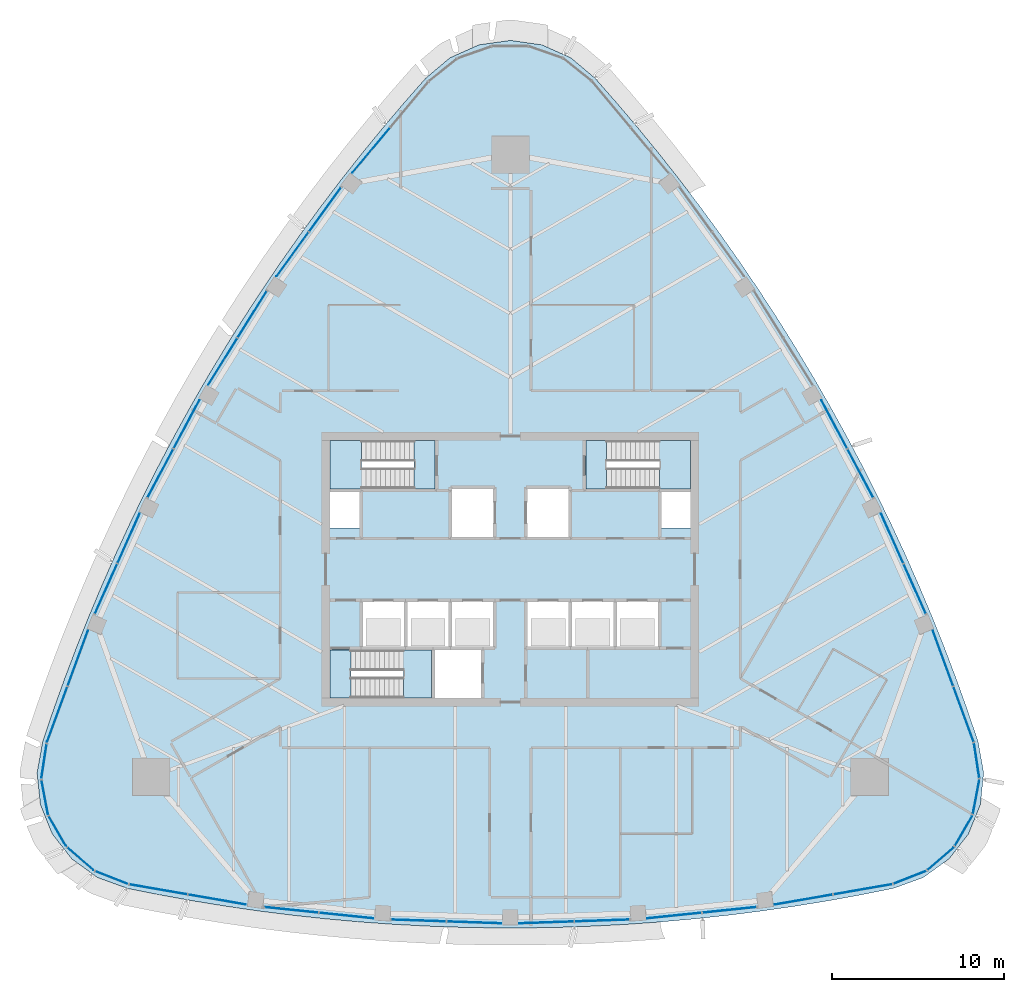
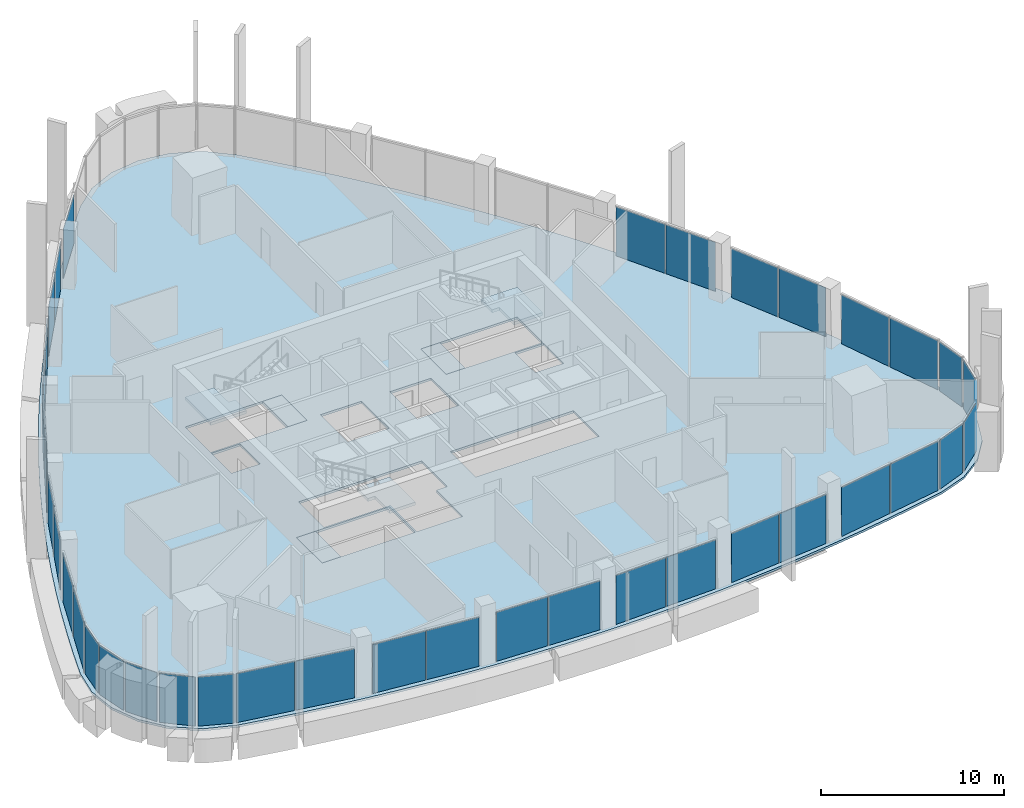
# One storey, part 7 of 18: 39 plates, 7 slabs, 28 elements without a shape of their own.
"""IFC4 building model written with IfcOpenShell, lengths in metres."""

from ifc_helpers import new_model, si_unit, direction, frame, origin, origin_2d, place, context, subcontext, project, spatial, polyline, rectangle, outline, extrude, material, layer, layer_set, type_object, element, aggregate, save


model = new_model("IFC4")

# Units and contexts
model_context = context("Model", 3, precision=1e-05, world=origin(), true_north=direction((0.0, 1.0)))
body_context = subcontext(model_context, "Body", "Model", "MODEL_VIEW")
ifc_project = project(units=[si_unit("LENGTHUNIT", "METRE"), si_unit("AREAUNIT", "SQUARE_METRE"), si_unit("VOLUMEUNIT", "CUBIC_METRE"), si_unit("PLANEANGLEUNIT", "RADIAN"), si_unit("MASSUNIT", "GRAM", prefix="KILO")], contexts=[model_context])

# Site, building, storey
site_placement = place(None, origin())
site = spatial("IfcSite", under=ifc_project, at=site_placement, CompositionType="ELEMENT")
building_placement = place(site_placement, origin())
building = spatial("IfcBuilding", under=site, at=building_placement, Name="Sierra Prisma Convention Tower", CompositionType="ELEMENT")
storey_placement = place(building_placement, frame((0.0, 0.0, 279.0)))
storey = spatial("IfcBuildingStorey", under=building, at=storey_placement, Name="L63", CompositionType="ELEMENT", Elevation=279.0)

# Curtain wall, plates
ifc_material_1 = material(Name="Aluminium and glass curtain wall", Category="aluminium")
ifc_layer_1 = layer(ifc_material_1, 0.179931640625)
ifc_layer_set_1 = layer_set([ifc_layer_1], Name="CW-1 Plain shaft curtain wall")
curtain_wall_type = type_object("IfcCurtainWallType", Name="CW-1 Plain shaft curtain wall", PredefinedType="NOTDEFINED", material=ifc_layer_set_1)
curtain_wall_1_placement = place(storey_placement, origin())
curtain_wall_1 = element("IfcCurtainWall", 1, at=curtain_wall_1_placement, inside=storey, type_object=curtain_wall_type, Name="CW-1 S1 L63", PredefinedType="NOTDEFINED")
ifc_material_2 = material(Name="Tinted glass bronze-grey IGU", Category="glass")
ifc_layer_2 = layer(ifc_material_2, 0.028076171875)
ifc_layer_set_2 = layer_set([ifc_layer_2], Name="CW-1 glass panel")
plate_type = type_object("IfcPlateType", Name="CW-1 glass panel", PredefinedType="CURTAIN_PANEL", material=ifc_layer_set_2)
plate_1_placement = place(storey_placement, frame((-20.513916015625, -18.645263671875, 0.0), z_axis=(0.0, 0.0, 1.0), x_axis=(0.985288103499, -0.170901588945, 0.0)))
plate_1 = element("IfcPlate", 2, at=plate_1_placement, type_object=plate_type, Name="CW-1 panel S1.1", PredefinedType="CURTAIN_PANEL", context=body_context, shape_type="SweptSolid", body=[
    extrude(rectangle(XDim=3.40576171875, YDim=0.028076171875, at=origin_2d()), origin(), (0.0, 0.0, 1.0), 3.280029296875),
])
plate_2_placement = place(storey_placement, frame((-17.08935546875, -19.2392578125, 0.0), z_axis=(0.0, 0.0, 1.0), x_axis=(0.985288103499, -0.170901588945, 0.0)))
plate_2 = element("IfcPlate", 3, at=plate_2_placement, type_object=plate_type, Name="CW-1 panel S1.2", PredefinedType="CURTAIN_PANEL", context=body_context, shape_type="SweptSolid", body=[
    extrude(rectangle(XDim=3.40576171875, YDim=0.028076171875, at=origin_2d()), origin(), (0.0, 0.0, 1.0), 3.280029296875),
])
aggregate(curtain_wall_1, [plate_1, plate_2])

curtain_wall_2_placement = place(storey_placement, origin())
curtain_wall_2 = element("IfcCurtainWall", 4, at=curtain_wall_2_placement, inside=storey, type_object=curtain_wall_type, Name="CW-1 S2 L63", PredefinedType="NOTDEFINED")
plate_3_placement = place(storey_placement, frame((-12.767333984375, -19.839599609375, 0.0), z_axis=(0.0, 0.0, 1.0), x_axis=(0.994695376161, -0.102864515964, 0.0)))
plate_3 = element("IfcPlate", 5, at=plate_3_placement, type_object=plate_type, Name="CW-1 panel S2.1", PredefinedType="CURTAIN_PANEL", context=body_context, shape_type="SweptSolid", body=[
    extrude(rectangle(XDim=3.158935546875, YDim=0.028076171875, at=origin_2d()), origin(), (0.0, 0.0, 1.0), 3.280029296875),
])
plate_4_placement = place(storey_placement, frame((-9.555419921875, -20.171630859375, 0.0), z_axis=(0.0, 0.0, 1.0), x_axis=(0.994695376161, -0.102864515964, 0.0)))
plate_4 = element("IfcPlate", 6, at=plate_4_placement, type_object=plate_type, Name="CW-1 panel S2.2", PredefinedType="CURTAIN_PANEL", context=body_context, shape_type="SweptSolid", body=[
    extrude(rectangle(XDim=3.158935546875, YDim=0.028076171875, at=origin_2d()), origin(), (0.0, 0.0, 1.0), 3.280029296875),
])
aggregate(curtain_wall_2, [plate_3, plate_4])

curtain_wall_3_placement = place(storey_placement, origin())
curtain_wall_3 = element("IfcCurtainWall", 7, at=curtain_wall_3_placement, inside=storey, type_object=curtain_wall_type, Name="CW-1 S3 L63", PredefinedType="NOTDEFINED")
plate_5_placement = place(storey_placement, frame((-5.348876953125, -20.46044921875, 0.0), z_axis=(0.0, 0.0, 1.0), x_axis=(0.999410133519, -0.034342175524, 0.0)))
plate_5 = element("IfcPlate", 8, at=plate_5_placement, type_object=plate_type, Name="CW-1 panel S3.1", PredefinedType="CURTAIN_PANEL", context=body_context, shape_type="SweptSolid", body=[
    extrude(rectangle(XDim=3.1748046875, YDim=0.028076171875, at=origin_2d()), origin(), (0.0, 0.0, 1.0), 3.280029296875),
])
plate_6_placement = place(storey_placement, frame((-2.106201171875, -20.572021484375, 0.0), z_axis=(0.0, 0.0, 1.0), x_axis=(0.999410133519, -0.034342175524, 0.0)))
plate_6 = element("IfcPlate", 9, at=plate_6_placement, type_object=plate_type, Name="CW-1 panel S3.2", PredefinedType="CURTAIN_PANEL", context=body_context, shape_type="SweptSolid", body=[
    extrude(rectangle(XDim=3.1748046875, YDim=0.028076171875, at=origin_2d()), origin(), (0.0, 0.0, 1.0), 3.280029296875),
])
aggregate(curtain_wall_3, [plate_5, plate_6])

curtain_wall_4_placement = place(storey_placement, origin())
curtain_wall_4 = element("IfcCurtainWall", 10, at=curtain_wall_4_placement, inside=storey, type_object=curtain_wall_type, Name="CW-1 S4 L63", PredefinedType="NOTDEFINED")
plate_7_placement = place(storey_placement, frame((2.106201171875, -20.572021484375, 0.0), z_axis=(0.0, 0.0, 1.0), x_axis=(0.999410133519, 0.034342175524, 0.0)))
plate_7 = element("IfcPlate", 11, at=plate_7_placement, type_object=plate_type, Name="CW-1 panel S4.1", PredefinedType="CURTAIN_PANEL", context=body_context, shape_type="SweptSolid", body=[
    extrude(rectangle(XDim=3.1748046875, YDim=0.028076171875, at=origin_2d()), origin(), (0.0, 0.0, 1.0), 3.280029296875),
])
plate_8_placement = place(storey_placement, frame((5.348876953125, -20.46044921875, 0.0), z_axis=(0.0, 0.0, 1.0), x_axis=(0.999410133519, 0.034342175524, 0.0)))
plate_8 = element("IfcPlate", 12, at=plate_8_placement, type_object=plate_type, Name="CW-1 panel S4.2", PredefinedType="CURTAIN_PANEL", context=body_context, shape_type="SweptSolid", body=[
    extrude(rectangle(XDim=3.1748046875, YDim=0.028076171875, at=origin_2d()), origin(), (0.0, 0.0, 1.0), 3.280029296875),
])
aggregate(curtain_wall_4, [plate_7, plate_8])

curtain_wall_5_placement = place(storey_placement, origin())
curtain_wall_5 = element("IfcCurtainWall", 13, at=curtain_wall_5_placement, inside=storey, type_object=curtain_wall_type, Name="CW-1 S5 L63", PredefinedType="NOTDEFINED")
plate_9_placement = place(storey_placement, frame((9.555419921875, -20.171630859375, 0.0), z_axis=(0.0, 0.0, 1.0), x_axis=(0.994695376161, 0.102864515964, 0.0)))
plate_9 = element("IfcPlate", 14, at=plate_9_placement, type_object=plate_type, Name="CW-1 panel S5.1", PredefinedType="CURTAIN_PANEL", context=body_context, shape_type="SweptSolid", body=[
    extrude(rectangle(XDim=3.158935546875, YDim=0.028076171875, at=origin_2d()), origin(), (0.0, 0.0, 1.0), 3.280029296875),
])
plate_10_placement = place(storey_placement, frame((12.767333984375, -19.839599609375, 0.0), z_axis=(0.0, 0.0, 1.0), x_axis=(0.994695376161, 0.102864515964, 0.0)))
plate_10 = element("IfcPlate", 15, at=plate_10_placement, type_object=plate_type, Name="CW-1 panel S5.2", PredefinedType="CURTAIN_PANEL", context=body_context, shape_type="SweptSolid", body=[
    extrude(rectangle(XDim=3.158935546875, YDim=0.028076171875, at=origin_2d()), origin(), (0.0, 0.0, 1.0), 3.280029296875),
])
aggregate(curtain_wall_5, [plate_9, plate_10])

curtain_wall_6_placement = place(storey_placement, origin())
curtain_wall_6 = element("IfcCurtainWall", 16, at=curtain_wall_6_placement, inside=storey, type_object=curtain_wall_type, Name="CW-1 S6 L63", PredefinedType="NOTDEFINED")
plate_11_placement = place(storey_placement, frame((17.08935546875, -19.2392578125, 0.0), z_axis=(0.0, 0.0, 1.0), x_axis=(0.985288103499, 0.170901588945, 0.0)))
plate_11 = element("IfcPlate", 17, at=plate_11_placement, type_object=plate_type, Name="CW-1 panel S6.1", PredefinedType="CURTAIN_PANEL", context=body_context, shape_type="SweptSolid", body=[
    extrude(rectangle(XDim=3.40576171875, YDim=0.028076171875, at=origin_2d()), origin(), (0.0, 0.0, 1.0), 3.280029296875),
])
plate_12_placement = place(storey_placement, frame((20.513916015625, -18.645263671875, 0.0), z_axis=(0.0, 0.0, 1.0), x_axis=(0.985288103499, 0.170901588945, 0.0)))
plate_12 = element("IfcPlate", 18, at=plate_12_placement, type_object=plate_type, Name="CW-1 panel S6.2", PredefinedType="CURTAIN_PANEL", context=body_context, shape_type="SweptSolid", body=[
    extrude(rectangle(XDim=3.40576171875, YDim=0.028076171875, at=origin_2d()), origin(), (0.0, 0.0, 1.0), 3.280029296875),
])
aggregate(curtain_wall_6, [plate_11, plate_12])

# Curtain wall, plate
curtain_wall_7_placement = place(storey_placement, origin())
curtain_wall_7 = element("IfcCurtainWall", 19, at=curtain_wall_7_placement, inside=storey, type_object=curtain_wall_type, Name="CW-1 SE1 L63", PredefinedType="NOTDEFINED")
plate_13_placement = place(storey_placement, frame((23.2548828125, -17.95166015625, 0.0), z_axis=(0.0, 0.0, 1.0), x_axis=(0.930758529864, 0.36563446102, 0.0)))
plate_13 = element("IfcPlate", 20, at=plate_13_placement, type_object=plate_type, Name="CW-1 panel SE1.1", PredefinedType="CURTAIN_PANEL", context=body_context, shape_type="SweptSolid", body=[
    extrude(rectangle(XDim=1.995849609375, YDim=0.028076171875, at=origin_2d()), origin(), (0.0, 0.0, 1.0), 3.280029296875),
])
aggregate(curtain_wall_7, [plate_13])

curtain_wall_8_placement = place(storey_placement, origin())
curtain_wall_8 = element("IfcCurtainWall", 21, at=curtain_wall_8_placement, inside=storey, type_object=curtain_wall_type, Name="CW-1 SE2 L63", PredefinedType="NOTDEFINED")
plate_14_placement = place(storey_placement, frame((25.05810546875, -16.864501953125, 0.0), z_axis=(0.0, 0.0, 1.0), x_axis=(0.757868898026, 0.65240687719, 0.0)))
plate_14 = element("IfcPlate", 22, at=plate_14_placement, type_object=plate_type, Name="CW-1 panel SE2.1", PredefinedType="CURTAIN_PANEL", context=body_context, shape_type="SweptSolid", body=[
    extrude(rectangle(XDim=1.995849609375, YDim=0.028076171875, at=origin_2d()), origin(), (0.0, 0.0, 1.0), 3.280029296875),
])
aggregate(curtain_wall_8, [plate_14])

curtain_wall_9_placement = place(storey_placement, origin())
curtain_wall_9 = element("IfcCurtainWall", 23, at=curtain_wall_9_placement, inside=storey, type_object=curtain_wall_type, Name="CW-1 SE3 L63", PredefinedType="NOTDEFINED")
plate_15_placement = place(storey_placement, frame((26.401611328125, -15.242919921875, 0.0), z_axis=(0.0, 0.0, 1.0), x_axis=(0.5, 0.866025403784, 0.0)))
plate_15 = element("IfcPlate", 24, at=plate_15_placement, type_object=plate_type, Name="CW-1 panel SE3.1", PredefinedType="CURTAIN_PANEL", context=body_context, shape_type="SweptSolid", body=[
    extrude(rectangle(XDim=1.995849609375, YDim=0.028076171875, at=origin_2d()), origin(), (0.0, 0.0, 1.0), 3.280029296875),
])
aggregate(curtain_wall_9, [plate_15])

curtain_wall_10_placement = place(storey_placement, origin())
curtain_wall_10 = element("IfcCurtainWall", 25, at=curtain_wall_10_placement, inside=storey, type_object=curtain_wall_type, Name="CW-1 SE4 L63", PredefinedType="NOTDEFINED")
plate_16_placement = place(storey_placement, frame((27.13427734375, -13.268798828125, 0.0), z_axis=(0.0, 0.0, 1.0), x_axis=(0.186066480238, 0.982537157024, 0.0)))
plate_16 = element("IfcPlate", 26, at=plate_16_placement, type_object=plate_type, Name="CW-1 panel SE4.1", PredefinedType="CURTAIN_PANEL", context=body_context, shape_type="SweptSolid", body=[
    extrude(rectangle(XDim=1.995849609375, YDim=0.028076171875, at=origin_2d()), origin(), (0.0, 0.0, 1.0), 3.280029296875),
])
aggregate(curtain_wall_10, [plate_16])

curtain_wall_11_placement = place(storey_placement, origin())
curtain_wall_11 = element("IfcCurtainWall", 27, at=curtain_wall_11_placement, inside=storey, type_object=curtain_wall_type, Name="CW-1 SE5 L63", PredefinedType="NOTDEFINED")
plate_17_placement = place(storey_placement, frame((27.174072265625, -11.163330078125, 0.0), z_axis=(0.0, 0.0, 1.0), x_axis=(-0.148730533189, 0.988877762161, 0.0)))
plate_17 = element("IfcPlate", 28, at=plate_17_placement, type_object=plate_type, Name="CW-1 panel SE5.1", PredefinedType="CURTAIN_PANEL", context=body_context, shape_type="SweptSolid", body=[
    extrude(rectangle(XDim=1.995849609375, YDim=0.028076171875, at=origin_2d()), origin(), (0.0, 0.0, 1.0), 3.280029296875),
])
aggregate(curtain_wall_11, [plate_17])

# Curtain wall, plates
curtain_wall_12_placement = place(storey_placement, origin())
curtain_wall_12 = element("IfcCurtainWall", 29, at=curtain_wall_12_placement, inside=storey, type_object=curtain_wall_type, Name="CW-1 NE1 L63", PredefinedType="NOTDEFINED")
plate_18_placement = place(storey_placement, frame((26.404296875, -8.44287109375, 0.0), z_axis=(0.0, 0.0, 1.0), x_axis=(-0.344638934176, 0.938735322149, 0.0)))
plate_18 = element("IfcPlate", 30, at=plate_18_placement, type_object=plate_type, Name="CW-1 panel NE1.1", PredefinedType="CURTAIN_PANEL", context=body_context, shape_type="SweptSolid", body=[
    extrude(rectangle(XDim=3.40576171875, YDim=0.028076171875, at=origin_2d()), origin(), (0.0, 0.0, 1.0), 3.280029296875),
])
plate_19_placement = place(storey_placement, frame((25.206298828125, -5.18017578125, 0.0), z_axis=(0.0, 0.0, 1.0), x_axis=(-0.344638934176, 0.938735322149, 0.0)))
plate_19 = element("IfcPlate", 31, at=plate_19_placement, type_object=plate_type, Name="CW-1 panel NE1.2", PredefinedType="CURTAIN_PANEL", context=body_context, shape_type="SweptSolid", body=[
    extrude(rectangle(XDim=3.40576171875, YDim=0.028076171875, at=origin_2d()), origin(), (0.0, 0.0, 1.0), 3.280029296875),
])
aggregate(curtain_wall_12, [plate_18, plate_19])

curtain_wall_13_placement = place(storey_placement, origin())
curtain_wall_13 = element("IfcCurtainWall", 32, at=curtain_wall_13_placement, inside=storey, type_object=curtain_wall_type, Name="CW-1 NE2 L63", PredefinedType="NOTDEFINED")
plate_20_placement = place(storey_placement, frame((23.565185546875, -1.136962890625, 0.0), z_axis=(0.0, 0.0, 1.0), x_axis=(-0.408264404108, 0.912863722764, 0.0)))
plate_20 = element("IfcPlate", 33, at=plate_20_placement, type_object=plate_type, Name="CW-1 panel NE2.1", PredefinedType="CURTAIN_PANEL", context=body_context, shape_type="SweptSolid", body=[
    extrude(rectangle(XDim=3.158935546875, YDim=0.028076171875, at=origin_2d()), origin(), (0.0, 0.0, 1.0), 3.280029296875),
])
plate_21_placement = place(storey_placement, frame((22.2470703125, 1.810546875, 0.0), z_axis=(0.0, 0.0, 1.0), x_axis=(-0.408264404108, 0.912863722764, 0.0)))
plate_21 = element("IfcPlate", 34, at=plate_21_placement, type_object=plate_type, Name="CW-1 panel NE2.2", PredefinedType="CURTAIN_PANEL", context=body_context, shape_type="SweptSolid", body=[
    extrude(rectangle(XDim=3.158935546875, YDim=0.028076171875, at=origin_2d()), origin(), (0.0, 0.0, 1.0), 3.280029296875),
])
aggregate(curtain_wall_13, [plate_20, plate_21])

curtain_wall_14_placement = place(storey_placement, origin())
curtain_wall_14 = element("IfcCurtainWall", 35, at=curtain_wall_14_placement, inside=storey, type_object=curtain_wall_type, Name="CW-1 NE3 L63", PredefinedType="NOTDEFINED")
plate_22_placement = place(storey_placement, frame((20.393798828125, 5.597900390625, 0.0), z_axis=(0.0, 0.0, 1.0), x_axis=(-0.469963870335, 0.882685652189, 0.0)))
plate_22 = element("IfcPlate", 36, at=plate_22_placement, type_object=plate_type, Name="CW-1 panel NE3.1", PredefinedType="CURTAIN_PANEL", context=body_context, shape_type="SweptSolid", body=[
    extrude(rectangle(XDim=3.1748046875, YDim=0.028076171875, at=origin_2d()), origin(), (0.0, 0.0, 1.0), 3.280029296875),
])
plate_23_placement = place(storey_placement, frame((18.868896484375, 8.4619140625, 0.0), z_axis=(0.0, 0.0, 1.0), x_axis=(-0.469963870335, 0.882685652189, 0.0)))
plate_23 = element("IfcPlate", 37, at=plate_23_placement, type_object=plate_type, Name="CW-1 panel NE3.2", PredefinedType="CURTAIN_PANEL", context=body_context, shape_type="SweptSolid", body=[
    extrude(rectangle(XDim=3.1748046875, YDim=0.028076171875, at=origin_2d()), origin(), (0.0, 0.0, 1.0), 3.280029296875),
])
aggregate(curtain_wall_14, [plate_22, plate_23])

# Curtain wall, plate
curtain_wall_15_placement = place(storey_placement, origin())
curtain_wall_15 = element("IfcCurtainWall", 38, at=curtain_wall_15_placement, inside=storey, type_object=curtain_wall_type, Name="CW-1 NW1 L63", PredefinedType="NOTDEFINED")
plate_24_placement = place(storey_placement, frame((-8.116943359375, 24.41943359375, 0.0), z_axis=(0.0, 0.0, 1.0), x_axis=(-0.640649169323, -0.767833733204, 0.0)))
plate_24 = element("IfcPlate", 39, at=plate_24_placement, type_object=plate_type, Name="CW-1 panel NW1.2", PredefinedType="CURTAIN_PANEL", context=body_context, shape_type="SweptSolid", body=[
    extrude(rectangle(XDim=3.40576171875, YDim=0.028076171875, at=origin_2d()), origin(), (0.0, 0.0, 1.0), 3.280029296875),
])
aggregate(curtain_wall_15, [plate_24])

# Curtain wall, plates
curtain_wall_16_placement = place(storey_placement, origin())
curtain_wall_16 = element("IfcCurtainWall", 40, at=curtain_wall_16_placement, inside=storey, type_object=curtain_wall_type, Name="CW-1 NW2 L63", PredefinedType="NOTDEFINED")
plate_25_placement = place(storey_placement, frame((-10.798095703125, 20.9765625, 0.0), z_axis=(0.0, 0.0, 1.0), x_axis=(-0.586430972053, -0.8099992068, 0.0)))
plate_25 = element("IfcPlate", 41, at=plate_25_placement, type_object=plate_type, Name="CW-1 panel NW2.1", PredefinedType="CURTAIN_PANEL", context=body_context, shape_type="SweptSolid", body=[
    extrude(rectangle(XDim=3.158935546875, YDim=0.028076171875, at=origin_2d()), origin(), (0.0, 0.0, 1.0), 3.280029296875),
])
plate_26_placement = place(storey_placement, frame((-12.69140625, 18.361083984375, 0.0), z_axis=(0.0, 0.0, 1.0), x_axis=(-0.586430972053, -0.8099992068, 0.0)))
plate_26 = element("IfcPlate", 42, at=plate_26_placement, type_object=plate_type, Name="CW-1 panel NW2.2", PredefinedType="CURTAIN_PANEL", context=body_context, shape_type="SweptSolid", body=[
    extrude(rectangle(XDim=3.158935546875, YDim=0.028076171875, at=origin_2d()), origin(), (0.0, 0.0, 1.0), 3.280029296875),
])
aggregate(curtain_wall_16, [plate_25, plate_26])

curtain_wall_17_placement = place(storey_placement, origin())
curtain_wall_17 = element("IfcCurtainWall", 43, at=curtain_wall_17_placement, inside=storey, type_object=curtain_wall_type, Name="CW-1 NW3 L63", PredefinedType="NOTDEFINED")
plate_27_placement = place(storey_placement, frame((-15.044921875, 14.862548828125, 0.0), z_axis=(0.0, 0.0, 1.0), x_axis=(-0.529446263184, -0.848343476665, 0.0)))
plate_27 = element("IfcPlate", 44, at=plate_27_placement, type_object=plate_type, Name="CW-1 panel NW3.1", PredefinedType="CURTAIN_PANEL", context=body_context, shape_type="SweptSolid", body=[
    extrude(rectangle(XDim=3.1748046875, YDim=0.028076171875, at=origin_2d()), origin(), (0.0, 0.0, 1.0), 3.280029296875),
])
plate_28_placement = place(storey_placement, frame((-16.7626953125, 12.10986328125, 0.0), z_axis=(0.0, 0.0, 1.0), x_axis=(-0.529446263184, -0.848343476665, 0.0)))
plate_28 = element("IfcPlate", 45, at=plate_28_placement, type_object=plate_type, Name="CW-1 panel NW3.2", PredefinedType="CURTAIN_PANEL", context=body_context, shape_type="SweptSolid", body=[
    extrude(rectangle(XDim=3.1748046875, YDim=0.028076171875, at=origin_2d()), origin(), (0.0, 0.0, 1.0), 3.280029296875),
])
aggregate(curtain_wall_17, [plate_27, plate_28])

curtain_wall_18_placement = place(storey_placement, origin())
curtain_wall_18 = element("IfcCurtainWall", 46, at=curtain_wall_18_placement, inside=storey, type_object=curtain_wall_type, Name="CW-1 NW4 L63", PredefinedType="NOTDEFINED")
plate_29_placement = place(storey_placement, frame((-18.868896484375, 8.4619140625, 0.0), z_axis=(0.0, 0.0, 1.0), x_axis=(-0.469963870335, -0.882685652189, 0.0)))
plate_29 = element("IfcPlate", 47, at=plate_29_placement, type_object=plate_type, Name="CW-1 panel NW4.1", PredefinedType="CURTAIN_PANEL", context=body_context, shape_type="SweptSolid", body=[
    extrude(rectangle(XDim=3.1748046875, YDim=0.028076171875, at=origin_2d()), origin(), (0.0, 0.0, 1.0), 3.280029296875),
])
plate_30_placement = place(storey_placement, frame((-20.393798828125, 5.597900390625, 0.0), z_axis=(0.0, 0.0, 1.0), x_axis=(-0.469963870335, -0.882685652189, 0.0)))
plate_30 = element("IfcPlate", 48, at=plate_30_placement, type_object=plate_type, Name="CW-1 panel NW4.2", PredefinedType="CURTAIN_PANEL", context=body_context, shape_type="SweptSolid", body=[
    extrude(rectangle(XDim=3.1748046875, YDim=0.028076171875, at=origin_2d()), origin(), (0.0, 0.0, 1.0), 3.280029296875),
])
aggregate(curtain_wall_18, [plate_29, plate_30])

curtain_wall_19_placement = place(storey_placement, origin())
curtain_wall_19 = element("IfcCurtainWall", 49, at=curtain_wall_19_placement, inside=storey, type_object=curtain_wall_type, Name="CW-1 NW5 L63", PredefinedType="NOTDEFINED")
plate_31_placement = place(storey_placement, frame((-22.2470703125, 1.810546875, 0.0), z_axis=(0.0, 0.0, 1.0), x_axis=(-0.408264404108, -0.912863722764, 0.0)))
plate_31 = element("IfcPlate", 50, at=plate_31_placement, type_object=plate_type, Name="CW-1 panel NW5.1", PredefinedType="CURTAIN_PANEL", context=body_context, shape_type="SweptSolid", body=[
    extrude(rectangle(XDim=3.158935546875, YDim=0.028076171875, at=origin_2d()), origin(), (0.0, 0.0, 1.0), 3.280029296875),
])
plate_32_placement = place(storey_placement, frame((-23.565185546875, -1.136962890625, 0.0), z_axis=(0.0, 0.0, 1.0), x_axis=(-0.408264404108, -0.912863722764, 0.0)))
plate_32 = element("IfcPlate", 51, at=plate_32_placement, type_object=plate_type, Name="CW-1 panel NW5.2", PredefinedType="CURTAIN_PANEL", context=body_context, shape_type="SweptSolid", body=[
    extrude(rectangle(XDim=3.158935546875, YDim=0.028076171875, at=origin_2d()), origin(), (0.0, 0.0, 1.0), 3.280029296875),
])
aggregate(curtain_wall_19, [plate_31, plate_32])

curtain_wall_20_placement = place(storey_placement, origin())
curtain_wall_20 = element("IfcCurtainWall", 52, at=curtain_wall_20_placement, inside=storey, type_object=curtain_wall_type, Name="CW-1 NW6 L63", PredefinedType="NOTDEFINED")
plate_33_placement = place(storey_placement, frame((-25.206298828125, -5.18017578125, 0.0), z_axis=(0.0, 0.0, 1.0), x_axis=(-0.344638934176, -0.938735322149, 0.0)))
plate_33 = element("IfcPlate", 53, at=plate_33_placement, type_object=plate_type, Name="CW-1 panel NW6.1", PredefinedType="CURTAIN_PANEL", context=body_context, shape_type="SweptSolid", body=[
    extrude(rectangle(XDim=3.40576171875, YDim=0.028076171875, at=origin_2d()), origin(), (0.0, 0.0, 1.0), 3.280029296875),
])
plate_34_placement = place(storey_placement, frame((-26.404296875, -8.44287109375, 0.0), z_axis=(0.0, 0.0, 1.0), x_axis=(-0.344638934176, -0.938735322149, 0.0)))
plate_34 = element("IfcPlate", 54, at=plate_34_placement, type_object=plate_type, Name="CW-1 panel NW6.2", PredefinedType="CURTAIN_PANEL", context=body_context, shape_type="SweptSolid", body=[
    extrude(rectangle(XDim=3.40576171875, YDim=0.028076171875, at=origin_2d()), origin(), (0.0, 0.0, 1.0), 3.280029296875),
])
aggregate(curtain_wall_20, [plate_33, plate_34])

# Curtain wall, plate
curtain_wall_21_placement = place(storey_placement, origin())
curtain_wall_21 = element("IfcCurtainWall", 55, at=curtain_wall_21_placement, inside=storey, type_object=curtain_wall_type, Name="CW-1 SW1 L63", PredefinedType="NOTDEFINED")
plate_35_placement = place(storey_placement, frame((-27.174072265625, -11.163330078125, 0.0), z_axis=(0.0, 0.0, 1.0), x_axis=(-0.148730533189, -0.988877762161, 0.0)))
plate_35 = element("IfcPlate", 56, at=plate_35_placement, type_object=plate_type, Name="CW-1 panel SW1.1", PredefinedType="CURTAIN_PANEL", context=body_context, shape_type="SweptSolid", body=[
    extrude(rectangle(XDim=1.995849609375, YDim=0.028076171875, at=origin_2d()), origin(), (0.0, 0.0, 1.0), 3.280029296875),
])
aggregate(curtain_wall_21, [plate_35])

curtain_wall_22_placement = place(storey_placement, origin())
curtain_wall_22 = element("IfcCurtainWall", 57, at=curtain_wall_22_placement, inside=storey, type_object=curtain_wall_type, Name="CW-1 SW2 L63", PredefinedType="NOTDEFINED")
plate_36_placement = place(storey_placement, frame((-27.13427734375, -13.268798828125, 0.0), z_axis=(0.0, 0.0, 1.0), x_axis=(0.186066480238, -0.982537157024, 0.0)))
plate_36 = element("IfcPlate", 58, at=plate_36_placement, type_object=plate_type, Name="CW-1 panel SW2.1", PredefinedType="CURTAIN_PANEL", context=body_context, shape_type="SweptSolid", body=[
    extrude(rectangle(XDim=1.995849609375, YDim=0.028076171875, at=origin_2d()), origin(), (0.0, 0.0, 1.0), 3.280029296875),
])
aggregate(curtain_wall_22, [plate_36])

curtain_wall_23_placement = place(storey_placement, origin())
curtain_wall_23 = element("IfcCurtainWall", 59, at=curtain_wall_23_placement, inside=storey, type_object=curtain_wall_type, Name="CW-1 SW3 L63", PredefinedType="NOTDEFINED")
plate_37_placement = place(storey_placement, frame((-26.401611328125, -15.242919921875, 0.0), z_axis=(0.0, 0.0, 1.0), x_axis=(0.5, -0.866025403784, 0.0)))
plate_37 = element("IfcPlate", 60, at=plate_37_placement, type_object=plate_type, Name="CW-1 panel SW3.1", PredefinedType="CURTAIN_PANEL", context=body_context, shape_type="SweptSolid", body=[
    extrude(rectangle(XDim=1.995849609375, YDim=0.028076171875, at=origin_2d()), origin(), (0.0, 0.0, 1.0), 3.280029296875),
])
aggregate(curtain_wall_23, [plate_37])

curtain_wall_24_placement = place(storey_placement, origin())
curtain_wall_24 = element("IfcCurtainWall", 61, at=curtain_wall_24_placement, inside=storey, type_object=curtain_wall_type, Name="CW-1 SW4 L63", PredefinedType="NOTDEFINED")
plate_38_placement = place(storey_placement, frame((-25.05810546875, -16.864501953125, 0.0), z_axis=(0.0, 0.0, 1.0), x_axis=(0.757868898026, -0.65240687719, 0.0)))
plate_38 = element("IfcPlate", 62, at=plate_38_placement, type_object=plate_type, Name="CW-1 panel SW4.1", PredefinedType="CURTAIN_PANEL", context=body_context, shape_type="SweptSolid", body=[
    extrude(rectangle(XDim=1.995849609375, YDim=0.028076171875, at=origin_2d()), origin(), (0.0, 0.0, 1.0), 3.280029296875),
])
aggregate(curtain_wall_24, [plate_38])

curtain_wall_25_placement = place(storey_placement, origin())
curtain_wall_25 = element("IfcCurtainWall", 63, at=curtain_wall_25_placement, inside=storey, type_object=curtain_wall_type, Name="CW-1 SW5 L63", PredefinedType="NOTDEFINED")
plate_39_placement = place(storey_placement, frame((-23.2548828125, -17.95166015625, 0.0), z_axis=(0.0, 0.0, 1.0), x_axis=(0.930758529864, -0.36563446102, 0.0)))
plate_39 = element("IfcPlate", 64, at=plate_39_placement, type_object=plate_type, Name="CW-1 panel SW5.1", PredefinedType="CURTAIN_PANEL", context=body_context, shape_type="SweptSolid", body=[
    extrude(rectangle(XDim=1.995849609375, YDim=0.028076171875, at=origin_2d()), origin(), (0.0, 0.0, 1.0), 3.280029296875),
])
aggregate(curtain_wall_25, [plate_39])

# Slab
ifc_material_3 = material(Name="Concrete C35/45", Category="concrete")
ifc_layer_3 = layer(ifc_material_3, 0.14990234375)
ifc_layer_set_3 = layer_set([ifc_layer_3], Name="Composite floor slab 150")
slab_type_1 = type_object("IfcSlabType", Name="Composite floor slab 150", PredefinedType="FLOOR", material=ifc_layer_set_3)
slab_1_placement = place(storey_placement, frame((0.0, 0.0, -0.14990234375)))
element("IfcSlab", 65, at=slab_1_placement, inside=storey, type_object=slab_type_1, Name="Floor slab L63 floor", PredefinedType="FLOOR", context=body_context, shape_type="SweptSolid", body=[
    extrude(outline(polyline([(-22.31201171875, -18.5869140625), (-20.395751953125, -18.9697265625), (-18.47314453125, -19.31787109375), (-16.544677734375, -19.6318359375), (-14.610595703125, -19.910888671875), (-12.672119140625, -20.1552734375), (-10.7294921875, -20.364990234375), (-8.783447265625, -20.5400390625), (-6.83447265625, -20.679931640625), (-4.88330078125, -20.784912109375), (-2.9306640625, -20.85498046875), (-0.97705078125, -20.889892578125), (0.97705078125, -20.889892578125), (2.9306640625, -20.85498046875), (4.88330078125, -20.784912109375), (6.83447265625, -20.679931640625), (8.783447265625, -20.5400390625), (10.7294921875, -20.364990234375), (12.672119140625, -20.1552734375), (14.610595703125, -19.910888671875), (16.544677734375, -19.6318359375), (18.47314453125, -19.31787109375), (20.395751953125, -18.9697265625), (22.31201171875, -18.5869140625), (24.054443359375, -17.958251953125), (25.5546875, -16.8720703125), (26.696044921875, -15.412841796875), (27.388916015625, -13.695068359375), (27.57958984375, -11.8525390625), (27.252685546875, -10.029296875), (26.626220703125, -8.178466796875), (25.96630859375, -6.33935546875), (25.27392578125, -4.51220703125), (24.548583984375, -2.69775390625), (23.791015625, -0.896728515625), (23.00146484375, 0.890625), (22.1796875, 2.663330078125), (21.326416015625, 4.421142578125), (20.44189453125, 6.163330078125), (19.526123046875, 7.889404296875), (18.57958984375, 9.598876953125), (17.602783203125, 11.291015625), (16.595458984375, 12.96533203125), (15.55859375, 14.62158203125), (14.4921875, 16.2587890625), (13.396484375, 17.87646484375), (12.27197265625, 19.474609375), (11.118896484375, 21.052001953125), (9.93798828125, 22.608642578125), (8.729248046875, 24.143798828125), (7.4931640625, 25.6572265625), (6.230224609375, 27.148193359375), (4.94091796875, 28.6162109375), (3.525146484375, 29.810791015625), (1.834228515625, 30.567138671875), (0.0, 30.825927734375), (-1.834228515625, 30.567138671875), (-3.525146484375, 29.810791015625), (-4.94091796875, 28.6162109375), (-6.230224609375, 27.148193359375), (-7.4931640625, 25.6572265625), (-8.729248046875, 24.143798828125), (-9.93798828125, 22.608642578125), (-11.118896484375, 21.052001953125), (-12.27197265625, 19.474609375), (-13.396484375, 17.87646484375), (-14.4921875, 16.2587890625), (-15.55859375, 14.62158203125), (-16.595458984375, 12.96533203125), (-17.602783203125, 11.291015625), (-18.57958984375, 9.598876953125), (-19.526123046875, 7.889404296875), (-20.44189453125, 6.163330078125), (-21.326416015625, 4.421142578125), (-22.1796875, 2.663330078125), (-23.00146484375, 0.890625), (-23.791015625, -0.896728515625), (-24.548583984375, -2.69775390625), (-25.27392578125, -4.51220703125), (-25.96630859375, -6.33935546875), (-26.626220703125, -8.178466796875), (-27.252685546875, -10.029296875), (-27.57958984375, -11.8525390625), (-27.388916015625, -13.695068359375), (-26.696044921875, -15.412841796875), (-25.5546875, -16.8720703125), (-24.054443359375, -17.958251953125), (-22.31201171875, -18.5869140625)]), holes=[polyline([(-4.60009765625, -4.699951171875), (-4.60009765625, -7.5), (-10.5, -7.5), (-10.5, -4.699951171875), (-4.60009765625, -4.699951171875)]), polyline([(-4.5, -7.5), (-4.5, -4.60009765625), (-6.10009765625, -4.60009765625), (-8.699951171875, -4.60009765625), (-8.699951171875, -1.800048828125), (-6.10009765625, -1.800048828125), (-3.5, -1.800048828125), (-0.89990234375, -1.800048828125), (-0.89990234375, -4.60009765625), (-1.60009765625, -4.60009765625), (-1.60009765625, -7.5), (-4.5, -7.5)]), polyline([(-8.699951171875, 2.39990234375), (-10.5, 2.39990234375), (-10.5, 4.60009765625), (-8.699951171875, 4.60009765625), (-8.699951171875, 2.39990234375)]), polyline([(-4.39990234375, 4.699951171875), (-10.5, 4.699951171875), (-10.5, 7.5), (-4.39990234375, 7.5), (-4.39990234375, 4.699951171875)]), polyline([(3.5, -1.800048828125), (6.10009765625, -1.800048828125), (8.699951171875, -1.800048828125), (8.699951171875, -4.60009765625), (6.10009765625, -4.60009765625), (3.5, -4.60009765625), (0.89990234375, -4.60009765625), (0.89990234375, -1.800048828125), (3.5, -1.800048828125)]), polyline([(-0.89990234375, 1.800048828125), (-3.5, 1.800048828125), (-3.5, 4.800048828125), (-0.89990234375, 4.800048828125), (-0.89990234375, 1.800048828125)]), polyline([(3.5, 1.800048828125), (0.89990234375, 1.800048828125), (0.89990234375, 4.800048828125), (3.5, 4.800048828125), (3.5, 1.800048828125)]), polyline([(10.5, 2.39990234375), (8.699951171875, 2.39990234375), (8.699951171875, 4.60009765625), (10.5, 4.60009765625), (10.5, 2.39990234375)]), polyline([(10.5, 4.699951171875), (4.39990234375, 4.699951171875), (4.39990234375, 7.5), (10.5, 7.5), (10.5, 4.699951171875)])]), origin(), (0.0, 0.0, 1.0), 0.14990234375),
])

# Stair, slab
ifc_material_4 = material(Name="Concrete C30/37", Category="concrete")
stair_type = type_object("IfcStairType", Name="Stair dog-leg 1200 RC", PredefinedType="HALF_TURN_STAIR", material=ifc_material_4)
stair_1_placement = place(storey_placement, origin())
stair_1 = element("IfcStair", 66, at=stair_1_placement, inside=storey, type_object=stair_type, Name="L63 S1", PredefinedType="HALF_TURN_STAIR")
ifc_material_5 = material(Name="Concrete C35/45", Category="concrete")
ifc_layer_4 = layer(ifc_material_5, 0.199951171875)
ifc_layer_set_4 = layer_set([ifc_layer_4], Name="Stair landing slab")
slab_type_2 = type_object("IfcSlabType", Name="Stair landing slab", PredefinedType="LANDING", material=ifc_layer_set_4)
slab_2_placement = place(storey_placement, frame((0.0, 0.0, 1.800048828125)))
slab_2 = element("IfcSlab", 67, at=slab_2_placement, type_object=slab_type_2, Name="S1 landing 1", PredefinedType="LANDING", context=body_context, shape_type="SweptSolid", body=[
    extrude(outline(polyline([(-4.60009765625, -4.699951171875), (-4.60009765625, -7.5), (-6.221923828125, -7.5), (-6.221923828125, -5.89990234375), (-6.669921875, -5.89990234375), (-6.669921875, -4.699951171875), (-4.60009765625, -4.699951171875)])), origin(), (0.0, 0.0, 1.0), 0.199951171875),
])
aggregate(stair_1, [slab_2])

# Slab
slab_3_placement = place(storey_placement, frame((0.0, 0.0, -0.199951171875)))
element("IfcSlab", 68, at=slab_3_placement, inside=storey, type_object=slab_type_2, Name="S1 floor landing L63", PredefinedType="LANDING", context=body_context, shape_type="SweptSolid", body=[
    extrude(outline(polyline([(-10.5, -7.5), (-9.298095703125, -7.5), (-9.298095703125, -4.699951171875), (-10.5, -4.699951171875), (-10.5, -7.5)])), origin(), (0.0, 0.0, 1.0), 0.199951171875),
])

# Stair, slab
stair_2_placement = place(storey_placement, origin())
stair_2 = element("IfcStair", 69, at=stair_2_placement, inside=storey, type_object=stair_type, Name="L63 S3", PredefinedType="HALF_TURN_STAIR")
slab_4_placement = place(storey_placement, frame((0.0, 0.0, 1.800048828125)))
slab_4 = element("IfcSlab", 70, at=slab_4_placement, type_object=slab_type_2, Name="S3 landing 1", PredefinedType="LANDING", context=body_context, shape_type="SweptSolid", body=[
    extrude(outline(polyline([(-8.22998046875, 5.89990234375), (-8.22998046875, 4.699951171875), (-10.5, 4.699951171875), (-10.5, 7.5), (-8.677978515625, 7.5), (-8.677978515625, 5.89990234375), (-8.22998046875, 5.89990234375)])), origin(), (0.0, 0.0, 1.0), 0.199951171875),
])
aggregate(stair_2, [slab_4])

# Slab
slab_5_placement = place(storey_placement, frame((0.0, 0.0, -0.199951171875)))
element("IfcSlab", 71, at=slab_5_placement, inside=storey, type_object=slab_type_2, Name="S3 floor landing L63", PredefinedType="LANDING", context=body_context, shape_type="SweptSolid", body=[
    extrude(outline(polyline([(-4.39990234375, 7.5), (-5.60205078125, 7.5), (-5.60205078125, 4.699951171875), (-4.39990234375, 4.699951171875), (-4.39990234375, 7.5)])), origin(), (0.0, 0.0, 1.0), 0.199951171875),
])

# Stair, slab
stair_3_placement = place(storey_placement, origin())
stair_3 = element("IfcStair", 72, at=stair_3_placement, inside=storey, type_object=stair_type, Name="L63 S4", PredefinedType="HALF_TURN_STAIR")
slab_6_placement = place(storey_placement, frame((0.0, 0.0, 1.800048828125)))
slab_6 = element("IfcSlab", 73, at=slab_6_placement, type_object=slab_type_2, Name="S4 landing 1", PredefinedType="LANDING", context=body_context, shape_type="SweptSolid", body=[
    extrude(outline(polyline([(10.5, 7.5), (10.5, 4.699951171875), (8.677978515625, 4.699951171875), (8.677978515625, 6.300048828125), (8.22998046875, 6.300048828125), (8.22998046875, 7.5), (10.5, 7.5)])), origin(), (0.0, 0.0, 1.0), 0.199951171875),
])
aggregate(stair_3, [slab_6])

# Slab
slab_7_placement = place(storey_placement, frame((0.0, 0.0, -0.199951171875)))
element("IfcSlab", 74, at=slab_7_placement, inside=storey, type_object=slab_type_2, Name="S4 floor landing L63", PredefinedType="LANDING", context=body_context, shape_type="SweptSolid", body=[
    extrude(outline(polyline([(4.39990234375, 4.699951171875), (5.60205078125, 4.699951171875), (5.60205078125, 7.5), (4.39990234375, 7.5), (4.39990234375, 4.699951171875)])), origin(), (0.0, 0.0, 1.0), 0.199951171875),
])

save(model, "model.ifc")
